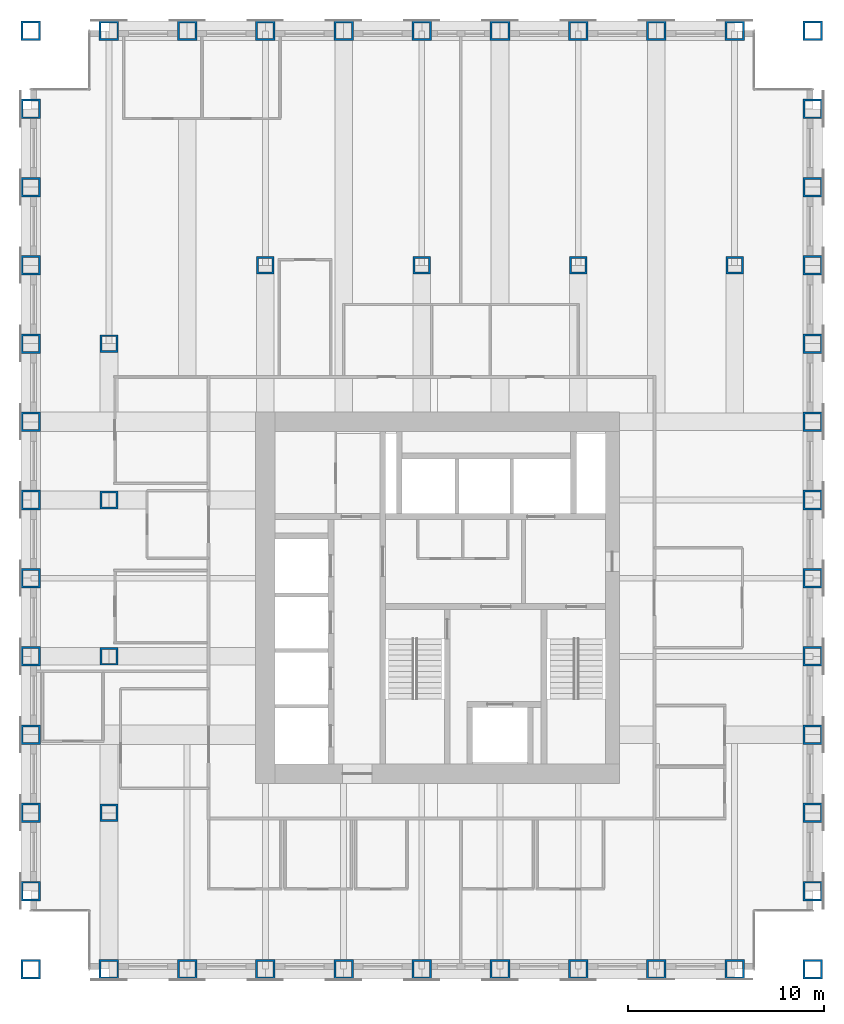
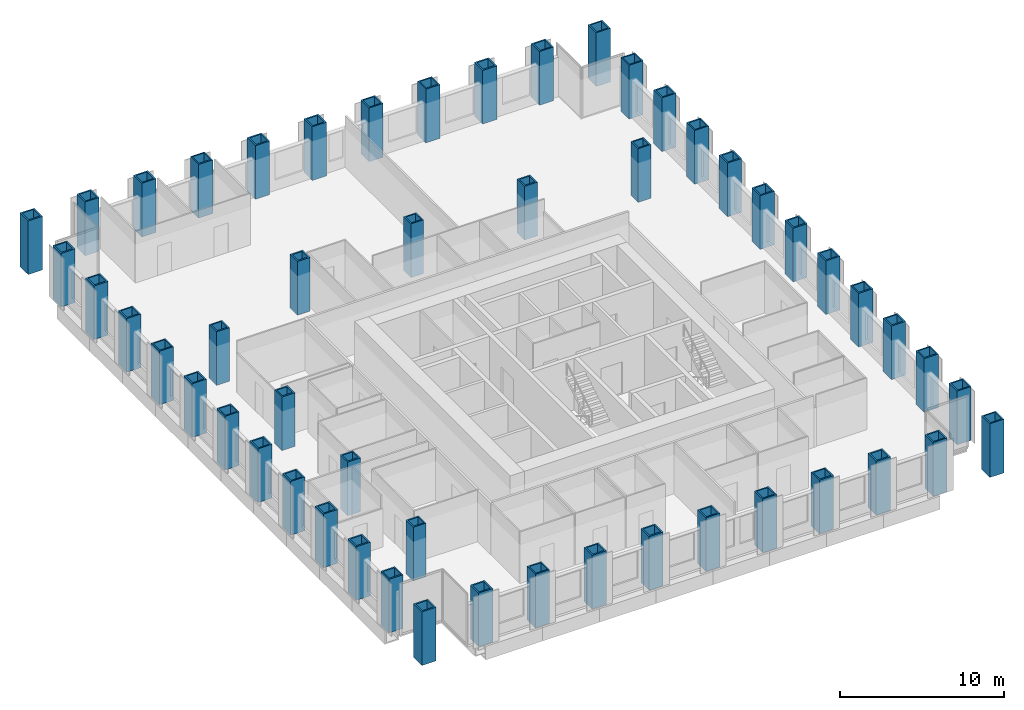
# One storey, part 1 of 14: 52 columns.
"""IFC4 building model written with IfcOpenShell, lengths in metres."""

from ifc_helpers import new_model, si_unit, direction, frame, origin, origin_2d, place, context, subcontext, project, spatial, hollow_rectangle, extrude, material, material_profile, profile_set, type_object, element, save


model = new_model("IFC4")

# Units and contexts
model_context = context("Model", 3, precision=1e-05, world=origin(), true_north=direction((0.0, 1.0)))
body_context = subcontext(model_context, "Body", "Model", "MODEL_VIEW")
ifc_project = project(units=[si_unit("LENGTHUNIT", "METRE"), si_unit("AREAUNIT", "SQUARE_METRE"), si_unit("VOLUMEUNIT", "CUBIC_METRE"), si_unit("PLANEANGLEUNIT", "RADIAN"), si_unit("MASSUNIT", "GRAM", prefix="KILO")], contexts=[model_context])

# Site, building, storey
site_placement = place(None, origin())
site = spatial("IfcSite", under=ifc_project, at=site_placement, CompositionType="ELEMENT")
building_placement = place(site_placement, origin())
building = spatial("IfcBuilding", under=site, at=building_placement, Name="Rimbunsela Tower", CompositionType="ELEMENT")
storey_placement = place(building_placement, frame((0.0, 0.0, 179.800048828125)))
storey = spatial("IfcBuildingStorey", under=building, at=storey_placement, Name="L43", CompositionType="ELEMENT", Elevation=179.800048828125)

# Columns
ifc_material_1 = material(Name="Steel BJ 55 (fy 410 MPa)", Category="steel")
ifc_material_profile_1 = material_profile(ifc_material_1, hollow_rectangle(XDim=1.0, YDim=1.0, WallThickness=0.10009765625, at=origin_2d()), Name="BOX 1000x1000x100")
ifc_profile_set_1 = profile_set([ifc_material_profile_1], Name="Steel BJ 55 (fy 410 MPa)")
column_type_1 = type_object("IfcColumnType", Name="Column BOX 1000x1000x100", PredefinedType="COLUMN", material=ifc_profile_set_1)
for number, where, z_axis, x_axis, name in (
    (1, (6.0, 8.0, 0.0), (0.0, 0.0, 1.0), (1.0, 0.0, 0.0), "Column C1 4/D L43"),
    (2, (6.0, 12.0, 0.0), (0.0, 0.0, 1.0), (1.0, 0.0, 0.0), "Column C1 4/E L43"),
    (3, (6.0, 16.0, 0.0), (0.0, 0.0, 1.0), (1.0, 0.0, 0.0), "Column C1 4/F L43"),
    (4, (6.0, 20.0, 0.0), (0.0, 0.0, 1.0), (1.0, 0.0, 0.0), "Column C1 4/G L43"),
    (5, (6.0, 24.0, 0.0), (0.0, 0.0, 1.0), (1.0, 0.0, 0.0), "Column C1 4/H L43"),
    (6, (6.0, 28.0, 0.0), (0.0, 0.0, 1.0), (1.0, 0.0, 0.0), "Column C1 4/J L43"),
    (7, (6.0, 32.0, 0.0), (0.0, 0.0, 1.0), (1.0, 0.0, 0.0), "Column C1 4/K L43"),
    (8, (6.0, 36.0, 0.0), (0.0, 0.0, 1.0), (1.0, 0.0, 0.0), "Column C1 4/L L43"),
    (9, (6.0, 40.0, 0.0), (0.0, 0.0, 1.0), (1.0, 0.0, 0.0), "Column C1 4/M L43"),
    (10, (6.0, 44.0, 0.0), (0.0, 0.0, 1.0), (1.0, 0.0, 0.0), "Column C1 4/N L43"),
    (11, (6.0, 48.0, 0.0), (0.0, 0.0, 1.0), (1.0, 0.0, 0.0), "Column C1 4/P L43"),
    (12, (6.0, 52.0, 0.0), (0.0, 0.0, 1.0), (1.0, 0.0, 0.0), "Column C1 4/Q L43"),
    (13, (6.0, 56.0, 0.0), (0.0, 0.0, 1.0), (1.0, 0.0, 0.0), "Column C1 4/R L43"),
    (14, (10.0, 8.0, 0.0), (0.0, 0.0, 1.0), (1.0, 0.0, 0.0), "Column C1 5/D L43"),
    (15, (10.0, 56.0, 0.0), (0.0, 0.0, 1.0), (1.0, 0.0, 0.0), "Column C1 5/R L43"),
    (16, (14.0, 8.0, 0.0), (0.0, 0.0, 1.0), (1.0, 0.0, 0.0), "Column C1 6/D L43"),
    (17, (14.0, 56.0, 0.0), (0.0, 0.0, 1.0), (1.0, 0.0, 0.0), "Column C1 6/R L43"),
    (18, (18.0, 8.0, 0.0), (0.0, 0.0, 1.0), (1.0, 0.0, 0.0), "Column C1 7/D L43"),
    (19, (18.0, 56.0, 0.0), (0.0, 0.0, 1.0), (1.0, 0.0, 0.0), "Column C1 7/R L43"),
    (20, (22.0, 8.0, 0.0), (0.0, 0.0, 1.0), (1.0, 0.0, 0.0), "Column C1 8/D L43"),
    (21, (22.0, 56.0, 0.0), (0.0, 0.0, 1.0), (1.0, 0.0, 0.0), "Column C1 8/R L43"),
    (22, (26.0, 8.0, 0.0), (0.0, 0.0, 1.0), (1.0, 0.0, 0.0), "Column C1 9/D L43"),
    (23, (26.0, 56.0, 0.0), (0.0, 0.0, 1.0), (1.0, 0.0, 0.0), "Column C1 9/R L43"),
    (24, (30.0, 8.0, 0.0), (0.0, 0.0, 1.0), (1.0, 0.0, 0.0), "Column C1 10/D L43"),
    (25, (30.0, 56.0, 0.0), (0.0, 0.0, 1.0), (1.0, 0.0, 0.0), "Column C1 10/R L43"),
    (26, (34.0, 8.0, 0.0), (0.0, 0.0, 1.0), (1.0, 0.0, 0.0), "Column C1 11/D L43"),
    (27, (34.0, 56.0, 0.0), (0.0, 0.0, 1.0), (1.0, 0.0, 0.0), "Column C1 11/R L43"),
    (28, (38.0, 8.0, 0.0), (0.0, 0.0, 1.0), (1.0, 0.0, 0.0), "Column C1 12/D L43"),
    (29, (38.0, 56.0, 0.0), (0.0, 0.0, 1.0), (1.0, 0.0, 0.0), "Column C1 12/R L43"),
    (30, (42.0, 8.0, 0.0), (0.0, 0.0, 1.0), (1.0, 0.0, 0.0), "Column C1 13/D L43"),
    (31, (42.0, 56.0, 0.0), (0.0, 0.0, 1.0), (1.0, 0.0, 0.0), "Column C1 13/R L43"),
    (32, (46.0, 8.0, 0.0), (0.0, 0.0, 1.0), (1.0, 0.0, 0.0), "Column C1 14/D L43"),
    (33, (46.0, 12.0, 0.0), (0.0, 0.0, 1.0), (1.0, 0.0, 0.0), "Column C1 14/E L43"),
    (34, (46.0, 16.0, 0.0), (0.0, 0.0, 1.0), (1.0, 0.0, 0.0), "Column C1 14/F L43"),
    (35, (46.0, 20.0, 0.0), (0.0, 0.0, 1.0), (1.0, 0.0, 0.0), "Column C1 14/G L43"),
    (36, (46.0, 24.0, 0.0), (0.0, 0.0, 1.0), (1.0, 0.0, 0.0), "Column C1 14/H L43"),
    (37, (46.0, 28.0, 0.0), (0.0, 0.0, 1.0), (1.0, 0.0, 0.0), "Column C1 14/J L43"),
    (38, (46.0, 32.0, 0.0), (0.0, 0.0, 1.0), (1.0, 0.0, 0.0), "Column C1 14/K L43"),
    (39, (46.0, 36.0, 0.0), (0.0, 0.0, 1.0), (1.0, 0.0, 0.0), "Column C1 14/L L43"),
    (40, (46.0, 40.0, 0.0), (0.0, 0.0, 1.0), (1.0, 0.0, 0.0), "Column C1 14/M L43"),
    (41, (46.0, 44.0, 0.0), (0.0, 0.0, 1.0), (1.0, 0.0, 0.0), "Column C1 14/N L43"),
    (42, (46.0, 48.0, 0.0), (0.0, 0.0, 1.0), (1.0, 0.0, 0.0), "Column C1 14/P L43"),
    (43, (46.0, 52.0, 0.0), (0.0, 0.0, 1.0), (1.0, 0.0, 0.0), "Column C1 14/Q L43"),
    (44, (46.0, 56.0, 0.0), (0.0, 0.0, 1.0), (1.0, 0.0, 0.0), "Column C1 14/R L43"),
):
    element("IfcColumn", number, at=place(storey_placement, frame(where, z_axis=z_axis, x_axis=x_axis)), inside=storey, type_object=column_type_1, Name=name, PredefinedType="COLUMN", context=body_context, shape_type="SweptSolid", body=[
        extrude(hollow_rectangle(XDim=1.0, YDim=1.0, WallThickness=0.10009765625, at=origin_2d()), origin(), (0.0, 0.0, 1.0), 4.0),
    ])
ifc_material_2 = material(Name="Steel BJ 55 (fy 410 MPa)", Category="steel")
ifc_material_profile_2 = material_profile(ifc_material_2, hollow_rectangle(XDim=0.89990234375, YDim=0.89990234375, WallThickness=0.10009765625, at=origin_2d()), Name="BOX 900x900x100")
ifc_profile_set_2 = profile_set([ifc_material_profile_2], Name="Steel BJ 55 (fy 410 MPa)")
column_type_2 = type_object("IfcColumnType", Name="Column BOX 900x900x100", PredefinedType="COLUMN", material=ifc_profile_set_2)
for number, where, z_axis, x_axis, name in (
    (45, (10.0, 16.0, 0.0), (0.0, 0.0, 1.0), (1.0, 0.0, 0.0), "Column C5 5/F L43"),
    (46, (10.0, 24.0, 0.0), (0.0, 0.0, 1.0), (1.0, 0.0, 0.0), "Column C5 5/H L43"),
    (47, (10.0, 32.0, 0.0), (0.0, 0.0, 1.0), (1.0, 0.0, 0.0), "Column C5 5/K L43"),
    (48, (10.0, 40.0, 0.0), (0.0, 0.0, 1.0), (1.0, 0.0, 0.0), "Column C5 5/M L43"),
    (49, (18.0, 44.0, 0.0), (0.0, 0.0, 1.0), (1.0, 0.0, 0.0), "Column C5 7/N L43"),
    (50, (26.0, 44.0, 0.0), (0.0, 0.0, 1.0), (1.0, 0.0, 0.0), "Column C5 9/N L43"),
    (51, (34.0, 44.0, 0.0), (0.0, 0.0, 1.0), (1.0, 0.0, 0.0), "Column C5 11/N L43"),
    (52, (42.0, 44.0, 0.0), (0.0, 0.0, 1.0), (1.0, 0.0, 0.0), "Column C5 13/N L43"),
):
    element("IfcColumn", number, at=place(storey_placement, frame(where, z_axis=z_axis, x_axis=x_axis)), inside=storey, type_object=column_type_2, Name=name, PredefinedType="COLUMN", context=body_context, shape_type="SweptSolid", body=[
        extrude(hollow_rectangle(XDim=0.89990234375, YDim=0.89990234375, WallThickness=0.10009765625, at=origin_2d()), origin(), (0.0, 0.0, 1.0), 4.0),
    ])

save(model, "model.ifc")
